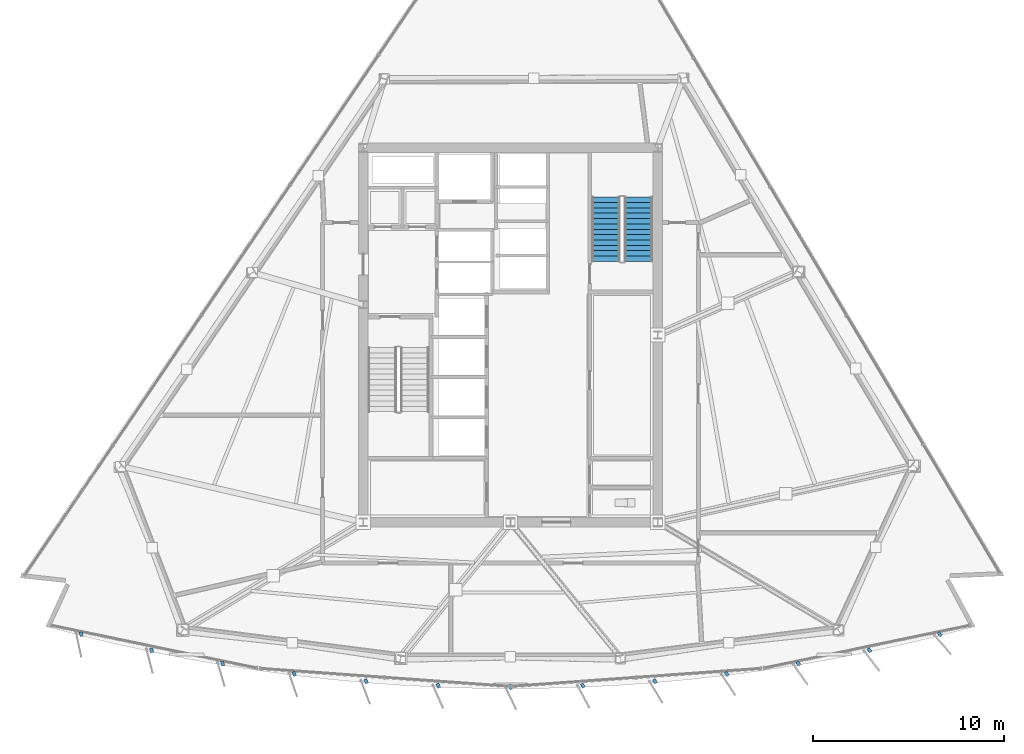
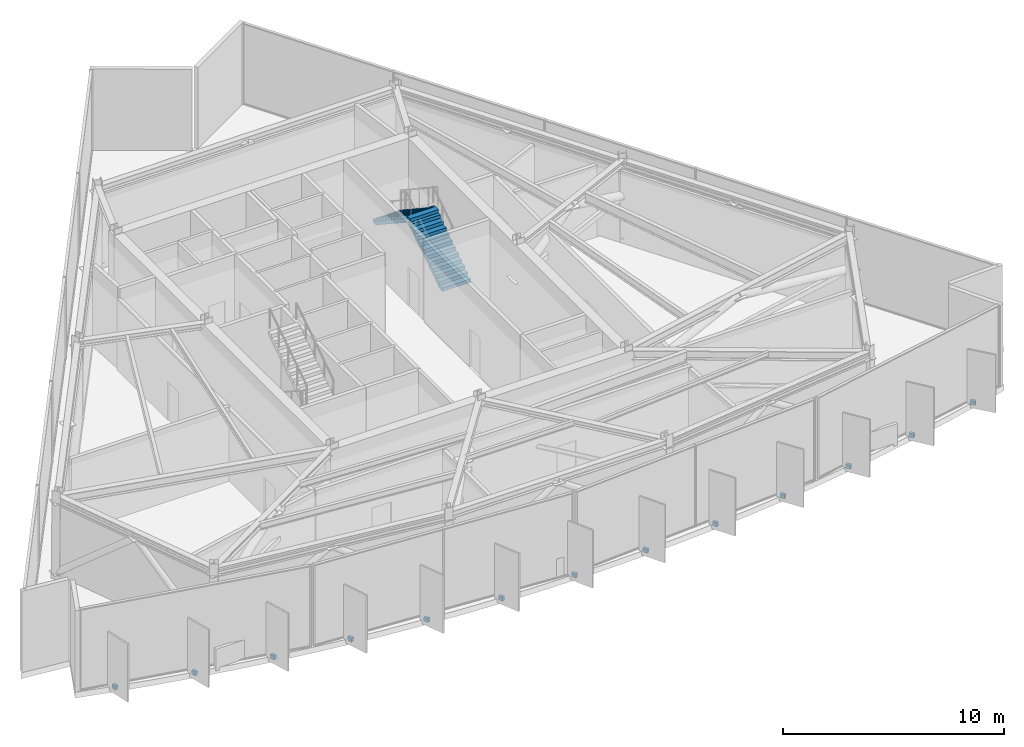
# One storey, part 10 of 14: 13 discrete accessories, 2 stair flights, 1 element without a shape of its own.
"""IFC4 building model written with IfcOpenShell, lengths in metres."""

from ifc_helpers import new_model, si_unit, direction, frame, origin, origin_2d, place, context, subcontext, project, spatial, polyline, rectangle, outline, extrude, material, type_object, element, aggregate, save


model = new_model("IFC4")

# Units and contexts
model_context = context("Model", 3, precision=1e-05, world=origin(), true_north=direction((0.0, 1.0)))
body_context = subcontext(model_context, "Body", "Model", "MODEL_VIEW")
ifc_project = project(units=[si_unit("LENGTHUNIT", "METRE"), si_unit("AREAUNIT", "SQUARE_METRE"), si_unit("VOLUMEUNIT", "CUBIC_METRE"), si_unit("PLANEANGLEUNIT", "RADIAN"), si_unit("MASSUNIT", "GRAM", prefix="KILO")], contexts=[model_context])

# Site, building, storey
site_placement = place(None, origin())
site = spatial("IfcSite", under=ifc_project, at=site_placement, CompositionType="ELEMENT")
building_placement = place(site_placement, origin())
building = spatial("IfcBuilding", under=site, at=building_placement, Name="Savorim Split Tower", CompositionType="ELEMENT")
storey_placement = place(building_placement, frame((0.0, 0.0, 185.39990234375)))
storey = spatial("IfcBuildingStorey", under=building, at=storey_placement, Name="L49", CompositionType="ELEMENT", Elevation=185.39990234375)

# Stair, stair flights
ifc_material_1 = material(Name="Concrete C50/60", Category="concrete")
stair_type = type_object("IfcStairType", Name="STR-DOG-4800", PredefinedType="HALF_TURN_STAIR", material=ifc_material_1)
stair_placement = place(storey_placement, origin())
stair = element("IfcStair", 1, at=stair_placement, inside=storey, type_object=stair_type, Name="L49 Core Protected Exit Stair ST-2", PredefinedType="HALF_TURN_STAIR")
stair_flight_type = type_object("IfcStairFlightType", Name="SFL-DOG-4800", PredefinedType="STRAIGHT", material=ifc_material_1)
stair_flight_1_placement = place(storey_placement, frame((6.699951171875, 4.25, 0.0), z_axis=(0.0, 0.0, 1.0), x_axis=(0.0, 1.0, 0.0)))
stair_flight_1 = element("IfcStairFlight", 2, at=stair_flight_1_placement, type_object=stair_flight_type, Name="ST-2 flight 1", NumberOfRisers=13, NumberOfTreads=12, PredefinedType="STRAIGHT", RiserHeight=0.184615385, TreadLength=0.28, context=body_context, shape_type="SweptSolid", body=[
    extrude(outline(polyline([(0.0, 0.0), (0.0, 0.1845703125), (0.280029296875, 0.1845703125), (0.280029296875, 0.369140625), (0.56005859375, 0.369140625), (0.56005859375, 0.553955078125), (0.840087890625, 0.553955078125), (0.840087890625, 0.738525390625), (1.1201171875, 0.738525390625), (1.1201171875, 0.923095703125), (1.39990234375, 0.923095703125), (1.39990234375, 1.107666015625), (1.679931640625, 1.107666015625), (1.679931640625, 1.292236328125), (1.9599609375, 1.292236328125), (1.9599609375, 1.476806640625), (2.239990234375, 1.476806640625), (2.239990234375, 1.66162109375), (2.52001953125, 1.66162109375), (2.52001953125, 1.84619140625), (2.800048828125, 1.84619140625), (2.800048828125, 2.03076171875), (3.080078125, 2.03076171875), (3.080078125, 2.21533203125), (3.360107421875, 2.21533203125), (3.360107421875, 2.39990234375), (3.360107421875, 2.035888671875), (0.272216796875, 0.0), (0.0, 0.0)])), frame((0.0, 0.75, 0.0), z_axis=(0.0, -1.0, 0.0), x_axis=(1.0, 0.0, 0.0)), (0.0, 0.0, 1.0), 1.5),
])
stair_flight_2_placement = place(storey_placement, frame((5.0, 7.610107421875, 2.400146484375), z_axis=(0.0, 0.0, 1.0), x_axis=(0.0, -1.0, 0.0)))
stair_flight_2 = element("IfcStairFlight", 3, at=stair_flight_2_placement, type_object=stair_flight_type, Name="ST-2 flight 2", NumberOfRisers=13, NumberOfTreads=12, PredefinedType="STRAIGHT", RiserHeight=0.184615385, TreadLength=0.28, context=body_context, shape_type="SweptSolid", body=[
    extrude(outline(polyline([(0.0, 0.0), (0.0, 0.1845703125), (0.280029296875, 0.1845703125), (0.280029296875, 0.369140625), (0.56005859375, 0.369140625), (0.56005859375, 0.553955078125), (0.840087890625, 0.553955078125), (0.840087890625, 0.738525390625), (1.1201171875, 0.738525390625), (1.1201171875, 0.923095703125), (1.39990234375, 0.923095703125), (1.39990234375, 1.107666015625), (1.679931640625, 1.107666015625), (1.679931640625, 1.292236328125), (1.9599609375, 1.292236328125), (1.9599609375, 1.476806640625), (2.239990234375, 1.476806640625), (2.239990234375, 1.66162109375), (2.52001953125, 1.66162109375), (2.52001953125, 1.84619140625), (2.800048828125, 1.84619140625), (2.800048828125, 2.03076171875), (3.080078125, 2.03076171875), (3.080078125, 2.21533203125), (3.360107421875, 2.21533203125), (3.360107421875, 2.39990234375), (3.360107421875, 2.035888671875), (0.272216796875, 0.0), (0.0, 0.0)])), frame((0.0, 0.75, 0.0), z_axis=(0.0, -1.0, 0.0), x_axis=(1.0, 0.0, 0.0)), (0.0, 0.0, 1.0), 1.5),
])
aggregate(stair, [stair_flight_1, stair_flight_2])

# Discrete accessories
ifc_material_2 = material(Name="Steel S355", Category="steel")
discrete_accessory_type = type_object("IfcDiscreteAccessoryType", Name="ACC-BRK-FIN", PredefinedType="BRACKET", material=ifc_material_2)
for number, where, z_axis, x_axis, name in (
    (4, (-22.460205078125, -15.250732421875, -0.18994140625), (0.0, 0.0, 1.0), (0.206721626106, -0.978399800337, 0.0), "L49 Fin Slab-Edge Cleat Bracket 01"),
    (5, (-18.774658203125, -16.0947265625, -0.18994140625), (0.0, 0.0, 1.0), (0.246581250663, -0.969122121727, 0.0), "L49 Fin Slab-Edge Cleat Bracket 02"),
    (6, (-15.0576171875, -16.787109375, -0.18994140625), (0.0, 0.0, 1.0), (0.286026212504, -0.958221793616, 0.0), "L49 Fin Slab-Edge Cleat Bracket 03"),
    (7, (-11.315185546875, -17.326904296875, -0.18994140625), (0.0, 0.0, 1.0), (0.324993810493, -0.945716143005, 0.0), "L49 Fin Slab-Edge Cleat Bracket 04"),
    (8, (-7.55419921875, -17.713134765625, -0.18994140625), (0.0, 0.0, 1.0), (0.363415461732, -0.931627179817, 0.0), "L49 Fin Slab-Edge Cleat Bracket 05"),
    (9, (-3.7802734375, -17.945068359375, -0.18994140625), (0.0, 0.0, 1.0), (0.401230091723, -0.915977299662, 0.0), "L49 Fin Slab-Edge Cleat Bracket 06"),
    (10, (0.0, -18.0224609375, -0.18994140625), (0.0, 0.0, 1.0), (0.438371146789, -0.898794046299, 0.0), "L49 Fin Slab-Edge Cleat Bracket 07"),
    (11, (3.7802734375, -17.945068359375, -0.18994140625), (0.0, 0.0, 1.0), (0.474778051978, -0.880105562623, 0.0), "L49 Fin Slab-Edge Cleat Bracket 08"),
    (12, (7.55419921875, -17.713134765625, -0.18994140625), (0.0, 0.0, 1.0), (0.510391336723, -0.859942255851, 0.0), "L49 Fin Slab-Edge Cleat Bracket 09"),
    (13, (11.315185546875, -17.326904296875, -0.18994140625), (0.0, 0.0, 1.0), (0.545148321708, -0.838339613366, 0.0), "L49 Fin Slab-Edge Cleat Bracket 10"),
    (14, (15.0576171875, -16.787109375, -0.18994140625), (0.0, 0.0, 1.0), (0.578993757737, -0.815331974414, 0.0), "L49 Fin Slab-Edge Cleat Bracket 11"),
    (15, (18.774658203125, -16.0947265625, -0.18994140625), (0.0, 0.0, 1.0), (0.611868076908, -0.790959832394, 0.0), "L49 Fin Slab-Edge Cleat Bracket 12"),
    (16, (22.460205078125, -15.250732421875, -0.18994140625), (0.0, 0.0, 1.0), (0.643719022682, -0.765261928909, 0.0), "L49 Fin Slab-Edge Cleat Bracket 13"),
):
    element("IfcDiscreteAccessory", number, at=place(storey_placement, frame(where, z_axis=z_axis, x_axis=x_axis)), inside=storey, type_object=discrete_accessory_type, Name=name, PredefinedType="BRACKET", context=body_context, shape_type="SweptSolid", body=[
        extrude(rectangle(XDim=0.239990234375, YDim=0.159912109375, at=origin_2d()), origin(), (0.0, 0.0, 1.0), 0.219970703125),
    ])

save(model, "model.ifc")
